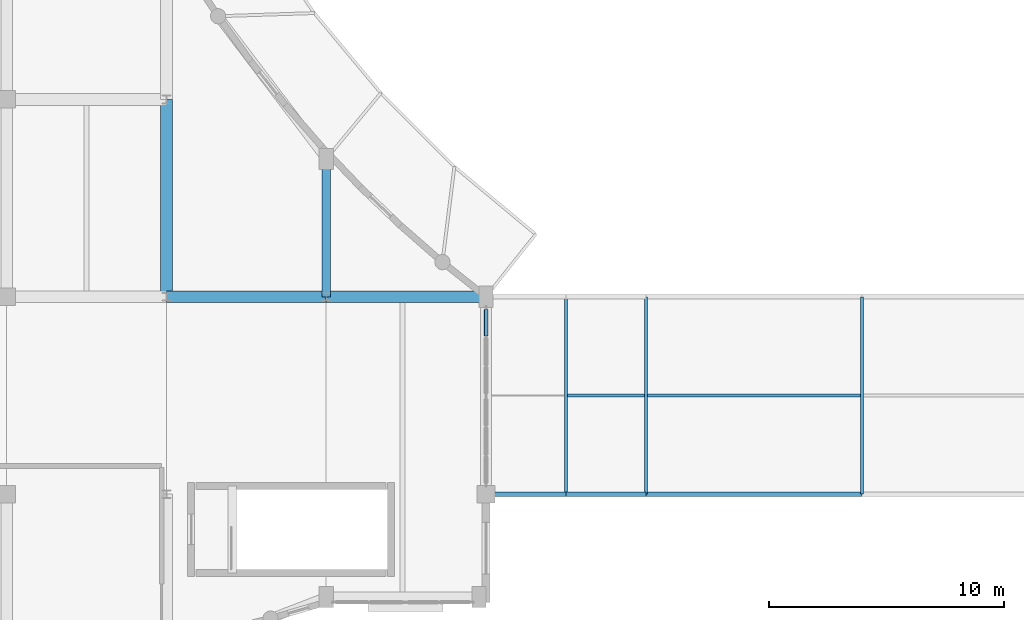
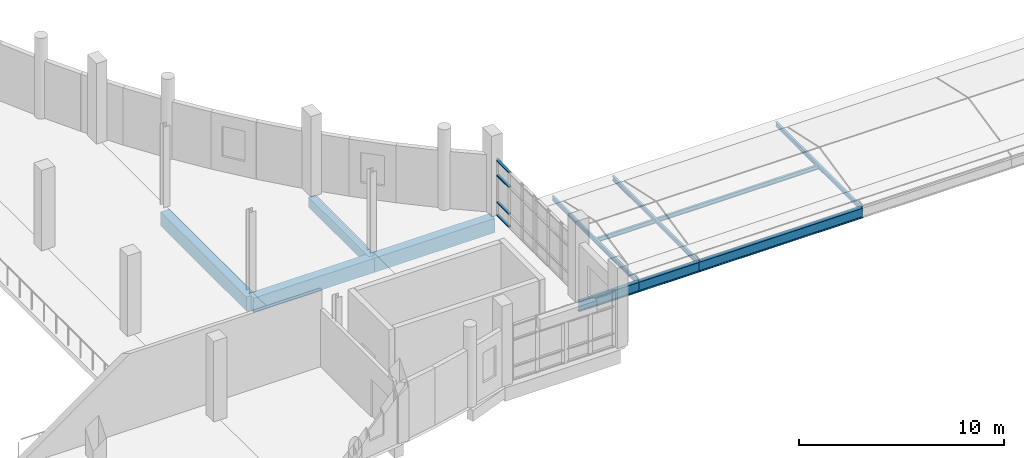
# One storey, part 11 of 106: 12 beams, 4 members, 1 element without a shape of its own.
"""IFC4 building model written with IfcOpenShell, lengths in metres."""

from ifc_helpers import new_model, si_unit, direction, frame, origin, origin_2d, place, context, subcontext, project, spatial, rectangle, hollow_rectangle, i_section, extrude, material, layer, layer_set, material_profile, profile_set, type_object, element, aggregate, save


model = new_model("IFC4")

# Units and contexts
model_context = context("Model", 3, precision=1e-05, world=origin(), true_north=direction((0.0, 1.0)))
body_context = subcontext(model_context, "Body", "Model", "MODEL_VIEW")
ifc_project = project(units=[si_unit("LENGTHUNIT", "METRE"), si_unit("AREAUNIT", "SQUARE_METRE"), si_unit("VOLUMEUNIT", "CUBIC_METRE"), si_unit("PLANEANGLEUNIT", "RADIAN"), si_unit("MASSUNIT", "GRAM", prefix="KILO")], contexts=[model_context])

# Site, building, storey
site_placement = place(None, origin())
site = spatial("IfcSite", under=ifc_project, at=site_placement, CompositionType="ELEMENT")
building_placement = place(site_placement, origin())
building = spatial("IfcBuilding", under=site, at=building_placement, Name="Kisaragi Civic Commons", CompositionType="ELEMENT")
storey_placement = place(building_placement, frame((0.0, 0.0, 4.800048828125)))
storey = spatial("IfcBuildingStorey", under=building, at=storey_placement, Name="L01", CompositionType="ELEMENT", Elevation=4.800048828125)

# Curtain wall, members
ifc_material_1 = material(Name="Thermally broken anodized aluminium and low-E double glazing", Category="aluminium")
ifc_layer = layer(ifc_material_1, 0.2099609375, Name="Thermally broken anodized aluminium and low-E double glazing", Category="aluminium")
ifc_layer_set = layer_set([ifc_layer], Name="Thermally broken anodized aluminium and low-E double glazing")
curtain_wall_type = type_object("IfcCurtainWallType", Name="CW-02", PredefinedType="NOTDEFINED", material=ifc_layer_set)
curtain_wall_placement = place(storey_placement, origin())
curtain_wall = element("IfcCurtainWall", 1, at=curtain_wall_placement, inside=storey, type_object=curtain_wall_type, Name="L01 curtain wall CW-02 CW-V1-L01-001", PredefinedType="NOTDEFINED")
ifc_material_profile_1 = material_profile(ifc_material_1, hollow_rectangle(XDim=0.159912109375, YDim=0.070068359375, WallThickness=0.0048828125, InnerFilletRadius=0.0048828125, OuterFilletRadius=0.010009765625, at=origin_2d()), Name="CWT-70x160x5", Category="aluminium")
ifc_profile_set_1 = profile_set([ifc_material_profile_1], Name="Thermally broken anodized aluminium and low-E double glazing")
member_type = type_object("IfcMemberType", Name="CWT-03", PredefinedType="USERDEFINED", material=ifc_profile_set_1)
member_1_placement = place(storey_placement, frame((47.60009765625, 16.260009765625, 0.079833984375), z_axis=(0.0, -1.0, 0.0), x_axis=(1.0, 0.0, 0.0)))
member_1 = element("IfcMember", 2, at=member_1_placement, type_object=member_type, Name="CW-02 transom 1.1", ObjectType="TRANSOM", PredefinedType="USERDEFINED", context=body_context, shape_type="SweptSolid", body=[
    extrude(hollow_rectangle(XDim=0.159912109375, YDim=0.070068359375, WallThickness=0.0048828125, InnerFilletRadius=0.0048828125, OuterFilletRadius=0.010009765625, at=origin_2d()), origin(), (0.0, 0.0, 1.0), 1.131591796875),
])
member_2_placement = place(storey_placement, frame((47.60009765625, 16.260009765625, 0.849853515625), z_axis=(0.0, -1.0, 0.0), x_axis=(1.0, 0.0, 0.0)))
member_2 = element("IfcMember", 3, at=member_2_placement, type_object=member_type, Name="CW-02 transom 1.2", ObjectType="TRANSOM", PredefinedType="USERDEFINED", context=body_context, shape_type="SweptSolid", body=[
    extrude(hollow_rectangle(XDim=0.159912109375, YDim=0.070068359375, WallThickness=0.0048828125, InnerFilletRadius=0.0048828125, OuterFilletRadius=0.010009765625, at=origin_2d()), origin(), (0.0, 0.0, 1.0), 1.131591796875),
])
member_3_placement = place(storey_placement, frame((47.60009765625, 16.260009765625, 2.449951171875), z_axis=(0.0, -1.0, 0.0), x_axis=(1.0, 0.0, 0.0)))
member_3 = element("IfcMember", 4, at=member_3_placement, type_object=member_type, Name="CW-02 transom 1.3", ObjectType="TRANSOM", PredefinedType="USERDEFINED", context=body_context, shape_type="SweptSolid", body=[
    extrude(hollow_rectangle(XDim=0.159912109375, YDim=0.070068359375, WallThickness=0.0048828125, InnerFilletRadius=0.0048828125, OuterFilletRadius=0.010009765625, at=origin_2d()), origin(), (0.0, 0.0, 1.0), 1.131591796875),
])
member_4_placement = place(storey_placement, frame((47.60009765625, 16.260009765625, 3.324951171875), z_axis=(0.0, -1.0, 0.0), x_axis=(1.0, 0.0, 0.0)))
member_4 = element("IfcMember", 5, at=member_4_placement, type_object=member_type, Name="CW-02 transom 1.4", ObjectType="TRANSOM", PredefinedType="USERDEFINED", context=body_context, shape_type="SweptSolid", body=[
    extrude(hollow_rectangle(XDim=0.159912109375, YDim=0.070068359375, WallThickness=0.0048828125, InnerFilletRadius=0.0048828125, OuterFilletRadius=0.010009765625, at=origin_2d()), origin(), (0.0, 0.0, 1.0), 1.131591796875),
])
aggregate(curtain_wall, [member_1, member_2, member_3, member_4])

# Beams
ifc_material_2 = material(Name="Concrete Fc30", Category="concrete")
ifc_material_profile_2 = material_profile(ifc_material_2, rectangle(XDim=0.5, YDim=0.85009765625, at=origin_2d()), Name="RC-500x850", Category="concrete")
ifc_profile_set_2 = profile_set([ifc_material_profile_2], Name="Concrete Fc30")
beam_type_1 = type_object("IfcBeamType", Name="G-02", PredefinedType="BEAM", material=ifc_profile_set_2)
for number, where, z_axis, x_axis, name in (
    (6, (34.0, 16.800048828125, -0.72998046875), (1.0, 0.0, 0.0), (0.0, 1.0, 0.0), "L01 girder G-02 135"),
    (7, (40.800048828125, 16.800048828125, -0.72998046875), (1.0, 0.0, 0.0), (0.0, 1.0, 0.0), "L01 girder G-02 136"),
):
    element("IfcBeam", number, at=place(storey_placement, frame(where, z_axis=z_axis, x_axis=x_axis)), inside=storey, type_object=beam_type_1, Name=name, PredefinedType="BEAM", context=body_context, shape_type="SweptSolid", body=[
        extrude(rectangle(XDim=0.5, YDim=0.85009765625, at=origin_2d()), origin(), (0.0, 0.0, 1.0), 6.800048828125),
    ])
beam_1_placement = place(storey_placement, frame((34.0, 16.800048828125, -0.72998046875), z_axis=(0.0, 1.0, 0.0), x_axis=(-1.0, 0.0, 0.0)))
element("IfcBeam", 8, at=beam_1_placement, inside=storey, type_object=beam_type_1, Name="L01 girder G-02 157", PredefinedType="BEAM", context=body_context, shape_type="SweptSolid", body=[
    extrude(rectangle(XDim=0.5, YDim=0.85009765625, at=origin_2d()), origin(), (0.0, 0.0, 1.0), 8.39990234375),
])
ifc_material_3 = material(Name="Steel SN490 (SN490B)", Category="steel")
ifc_material_profile_3 = material_profile(ifc_material_3, i_section(OverallWidth=0.199951171875, OverallDepth=0.60009765625, WebThickness=0.010986328125, FlangeThickness=0.01708984375, FilletRadius=0.012939453125, at=origin_2d()), Name="H-600x200x11x17", Category="steel")
ifc_profile_set_3 = profile_set([ifc_material_profile_3], Name="Steel SN490 (SN490B)")
beam_type_2 = type_object("IfcBeamType", Name="G-10", PredefinedType="BEAM", material=ifc_profile_set_3)
for number, where, z_axis, x_axis, name in (
    (9, (47.60009765625, 8.39990234375, -0.580078125), (1.0, 0.0, 0.0), (0.0, 1.0, 0.0), "BR-V1-V3 L01 bridge girder 204"),
    (10, (51.0, 8.39990234375, -0.580078125), (1.0, 0.0, 0.0), (0.0, 1.0, 0.0), "BR-V1-V3 L01 bridge girder 205"),
):
    element("IfcBeam", number, at=place(storey_placement, frame(where, z_axis=z_axis, x_axis=x_axis)), inside=storey, type_object=beam_type_2, Name=name, PredefinedType="BEAM", context=body_context, shape_type="SweptSolid", body=[
        extrude(i_section(OverallWidth=0.199951171875, OverallDepth=0.60009765625, WebThickness=0.010986328125, FlangeThickness=0.01708984375, FilletRadius=0.012939453125, at=origin_2d()), origin(), (0.0, 0.0, 1.0), 3.39990234375),
    ])
beam_2_placement = place(storey_placement, frame((54.39990234375, 8.39990234375, -0.580078125), z_axis=(1.0, 0.0, 0.0), x_axis=(0.0, 1.0, 0.0)))
element("IfcBeam", 11, at=beam_2_placement, inside=storey, type_object=beam_type_2, Name="BR-V1-V3 L01 bridge girder 206", PredefinedType="BEAM", context=body_context, shape_type="SweptSolid", body=[
    extrude(i_section(OverallWidth=0.199951171875, OverallDepth=0.60009765625, WebThickness=0.010986328125, FlangeThickness=0.01708984375, FilletRadius=0.012939453125, at=origin_2d()), origin(), (0.0, 0.0, 1.0), 9.2001953125),
])
ifc_material_profile_4 = material_profile(ifc_material_2, rectangle(XDim=0.35009765625, YDim=0.60009765625, at=origin_2d()), Name="RC-350x600", Category="concrete")
ifc_profile_set_4 = profile_set([ifc_material_profile_4], Name="Concrete Fc30")
beam_type_3 = type_object("IfcBeamType", Name="G-14", PredefinedType="BEAM", material=ifc_profile_set_4)
beam_3_placement = place(storey_placement, frame((40.800048828125, 22.66796875, -0.60498046875), z_axis=(0.0, -1.0, 0.0), x_axis=(1.0, 0.0, 0.0)))
element("IfcBeam", 12, at=beam_3_placement, inside=storey, type_object=beam_type_3, Name="L01 curved wall tie beam 163", PredefinedType="BEAM", context=body_context, shape_type="SweptSolid", body=[
    extrude(rectangle(XDim=0.35009765625, YDim=0.60009765625, at=origin_2d()), origin(), (0.0, 0.0, 1.0), 5.867919921875),
])
ifc_material_4 = material(Name="Steel SN400 (SN400B)", Category="steel")
ifc_material_profile_5 = material_profile(ifc_material_4, i_section(OverallWidth=0.125, OverallDepth=0.25, WebThickness=0.006103515625, FlangeThickness=0.009033203125, FilletRadius=0.008056640625, at=origin_2d()), Name="H-250x125x6x9", Category="steel")
ifc_profile_set_5 = profile_set([ifc_material_profile_5], Name="Steel SN400 (SN400B)")
beam_type_4 = type_object("IfcBeamType", Name="J-05", PredefinedType="JOIST", material=ifc_profile_set_5)
for number, where, z_axis, x_axis, name in (
    (13, (51.0, 8.39990234375, -0.405029296875), (0.0, 1.0, 0.0), (-1.0, 0.0, 0.0), "BR-V1-V3 L01 cross joist 224"),
    (14, (54.39990234375, 8.39990234375, -0.405029296875), (0.0, 1.0, 0.0), (-1.0, 0.0, 0.0), "BR-V1-V3 L01 cross joist 225"),
    (15, (63.60009765625, 8.39990234375, -0.405029296875), (0.0, 1.0, 0.0), (-1.0, 0.0, 0.0), "BR-V1-V3 L01 cross joist 226"),
):
    element("IfcBeam", number, at=place(storey_placement, frame(where, z_axis=z_axis, x_axis=x_axis)), inside=storey, type_object=beam_type_4, Name=name, PredefinedType="JOIST", context=body_context, shape_type="SweptSolid", body=[
        extrude(i_section(OverallWidth=0.125, OverallDepth=0.25, WebThickness=0.006103515625, FlangeThickness=0.009033203125, FilletRadius=0.008056640625, at=origin_2d()), origin(), (0.0, 0.0, 1.0), 8.400146484375),
    ])
beam_4_placement = place(storey_placement, frame((51.0625, 12.60009765625, -0.405029296875), z_axis=(1.0, 0.0, 0.0), x_axis=(0.0, 1.0, 0.0)))
element("IfcBeam", 16, at=beam_4_placement, inside=storey, type_object=beam_type_4, Name="BR-V1-V3 L01 spine joist 232", PredefinedType="JOIST", context=body_context, shape_type="SweptSolid", body=[
    extrude(i_section(OverallWidth=0.125, OverallDepth=0.25, WebThickness=0.006103515625, FlangeThickness=0.009033203125, FilletRadius=0.008056640625, at=origin_2d()), origin(), (0.0, 0.0, 1.0), 3.27490234375),
])
beam_5_placement = place(storey_placement, frame((54.46240234375, 12.60009765625, -0.405029296875), z_axis=(1.0, 0.0, 0.0), x_axis=(0.0, 1.0, 0.0)))
element("IfcBeam", 17, at=beam_5_placement, inside=storey, type_object=beam_type_4, Name="BR-V1-V3 L01 spine joist 233", PredefinedType="JOIST", context=body_context, shape_type="SweptSolid", body=[
    extrude(i_section(OverallWidth=0.125, OverallDepth=0.25, WebThickness=0.006103515625, FlangeThickness=0.009033203125, FilletRadius=0.008056640625, at=origin_2d()), origin(), (0.0, 0.0, 1.0), 9.0751953125),
])

save(model, "model.ifc")
